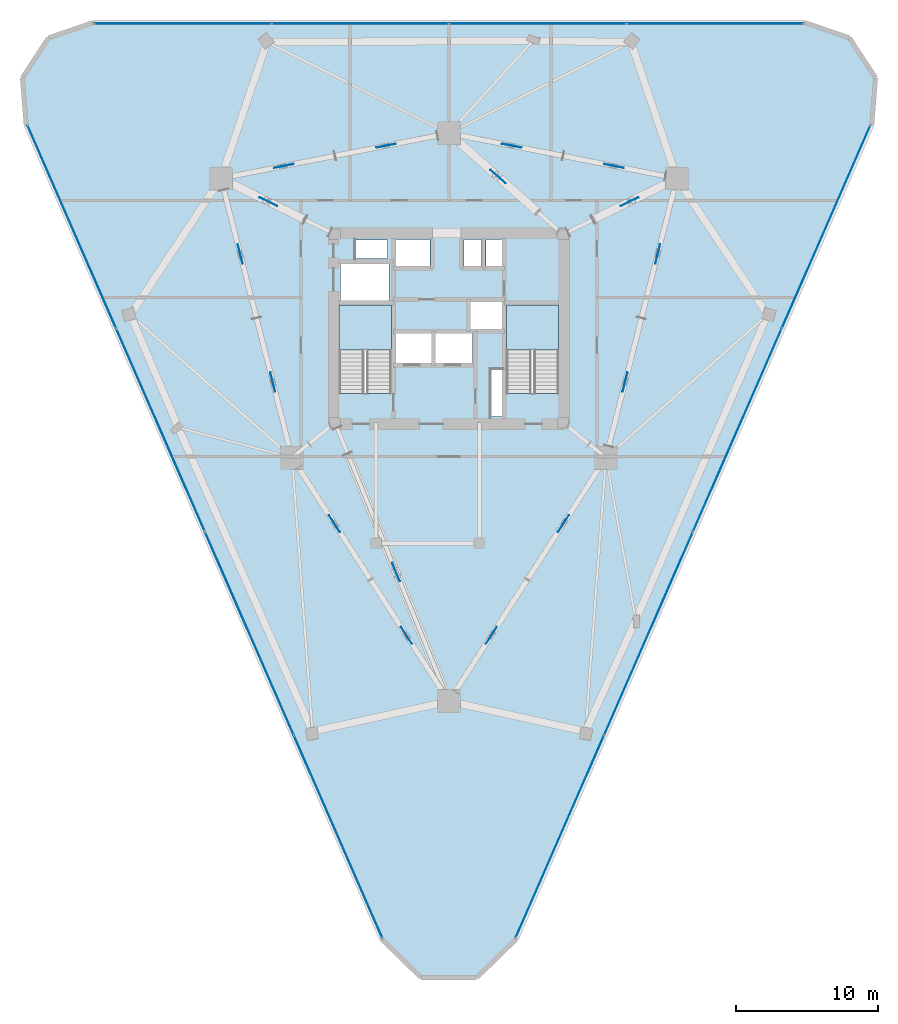
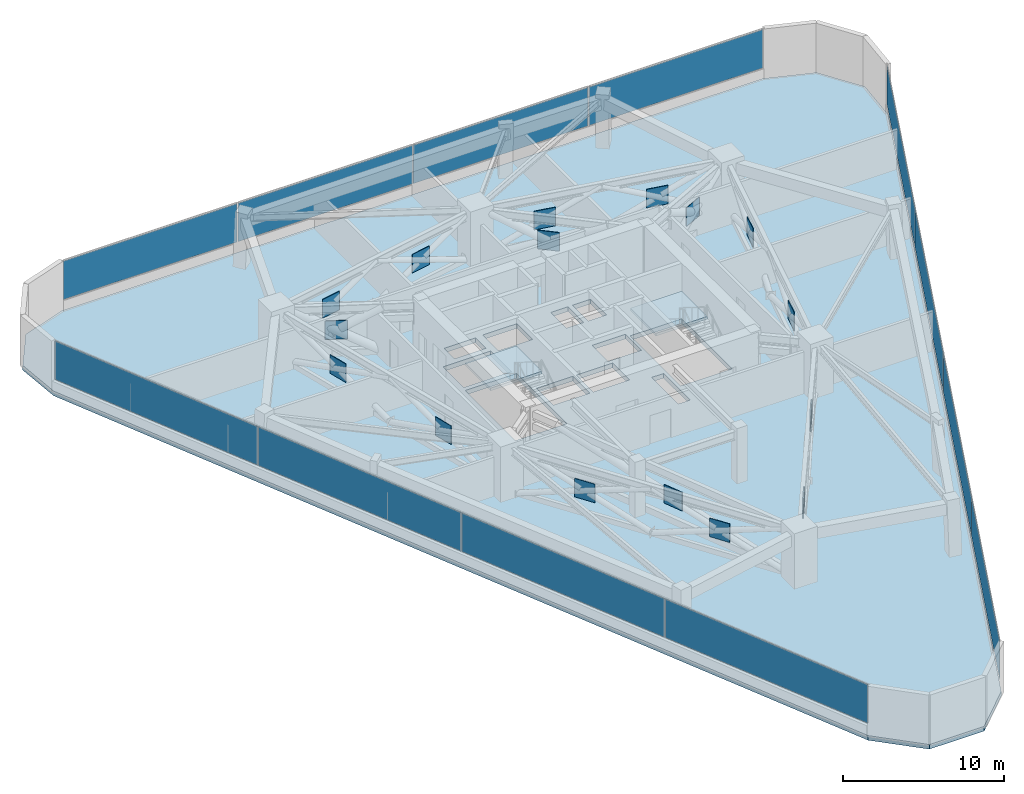
# One storey, part 10 of 15: 28 plates, 3 slabs, 5 elements without a shape of their own.
"""IFC4 building model written with IfcOpenShell, lengths in metres."""

from ifc_helpers import new_model, si_unit, direction, frame, origin, origin_2d, place, context, subcontext, project, spatial, polyline, rectangle, outline, extrude, material, layer, layer_set, type_object, element, aggregate, save


model = new_model("IFC4")

# Units and contexts
model_context = context("Model", 3, precision=1e-05, world=origin(), true_north=direction((0.0, 1.0)))
body_context = subcontext(model_context, "Body", "Model", "MODEL_VIEW")
ifc_project = project(units=[si_unit("LENGTHUNIT", "METRE"), si_unit("AREAUNIT", "SQUARE_METRE"), si_unit("VOLUMEUNIT", "CUBIC_METRE"), si_unit("PLANEANGLEUNIT", "RADIAN"), si_unit("MASSUNIT", "GRAM", prefix="KILO")], contexts=[model_context])

# Site, building, storey
site_placement = place(None, origin())
site = spatial("IfcSite", under=ifc_project, at=site_placement, CompositionType="ELEMENT")
building_placement = place(site_placement, origin())
building = spatial("IfcBuilding", under=site, at=building_placement, Name="Talyreon Biosciences Tower", CompositionType="ELEMENT")
storey_placement = place(building_placement, frame((0.0, 0.0, 118.800048828125)))
storey = spatial("IfcBuildingStorey", under=building, at=storey_placement, Name="L31", CompositionType="ELEMENT", Elevation=118.800048828125)

# Curtain wall, plates
ifc_material_1 = material(Name="Thermally broken aluminium and low-E glazing", Category="aluminium")
ifc_layer_1 = layer(ifc_material_1, 0.18994140625)
ifc_layer_set_1 = layer_set([ifc_layer_1], Name="Thermally broken aluminium and low-E glazing")
curtain_wall_type = type_object("IfcCurtainWallType", Name="CurtainWall_Zone2Genomics", PredefinedType="NOTDEFINED", material=ifc_layer_set_1)
curtain_wall_1_placement = place(storey_placement, origin())
curtain_wall_1 = element("IfcCurtainWall", 1, at=curtain_wall_1_placement, inside=storey, type_object=curtain_wall_type, Name="L31 Unitised Curtain Wall FCW-L31-00", PredefinedType="NOTDEFINED")
ifc_material_2 = material(Name="Triple-silver low-E insulated glazing", Category="glass")
ifc_layer_2 = layer(ifc_material_2, 0.031982421875)
ifc_layer_set_2 = layer_set([ifc_layer_2], Name="Triple-silver low-E insulated glazing")
plate_type_1 = type_object("IfcPlateType", Name="CWGlazingPanel_32", PredefinedType="CURTAIN_PANEL", material=ifc_layer_set_2)
plate_1_placement = place(storey_placement, frame((58.165283203125, 32.1201171875, 0.875), z_axis=(0.0, 0.0, 1.0), x_axis=(-0.400226002637, 0.916416470178, 0.0)))
plate_1 = element("IfcPlate", 2, at=plate_1_placement, type_object=plate_type_1, Name="CW3 panel 1.1", PredefinedType="CURTAIN_PANEL", context=body_context, shape_type="SweptSolid", body=[
    extrude(rectangle(XDim=15.573974609375, YDim=0.031982421875, at=origin_2d()), origin(), (0.0, 0.0, 1.0), 2.909912109375),
])
plate_2_placement = place(storey_placement, frame((51.899658203125, 46.466796875, 0.875), z_axis=(0.0, 0.0, 1.0), x_axis=(-0.400226002637, 0.916416470178, 0.0)))
plate_2 = element("IfcPlate", 3, at=plate_2_placement, type_object=plate_type_1, Name="CW3 panel 2.1", PredefinedType="CURTAIN_PANEL", context=body_context, shape_type="SweptSolid", body=[
    extrude(rectangle(XDim=15.6064453125, YDim=0.031982421875, at=origin_2d()), origin(), (0.0, 0.0, 1.0), 2.909912109375),
])
plate_3_placement = place(storey_placement, frame((45.627685546875, 60.828369140625, 0.875), z_axis=(0.0, 0.0, 1.0), x_axis=(-0.400226002637, 0.916416470178, 0.0)))
plate_3 = element("IfcPlate", 4, at=plate_3_placement, type_object=plate_type_1, Name="CW3 panel 3.1", PredefinedType="CURTAIN_PANEL", context=body_context, shape_type="SweptSolid", body=[
    extrude(rectangle(XDim=15.6064453125, YDim=0.031982421875, at=origin_2d()), origin(), (0.0, 0.0, 1.0), 2.909912109375),
])
plate_4_placement = place(storey_placement, frame((39.362060546875, 75.175048828125, 0.875), z_axis=(0.0, 0.0, 1.0), x_axis=(-0.400226002637, 0.916416470178, 0.0)))
plate_4 = element("IfcPlate", 5, at=plate_4_placement, type_object=plate_type_1, Name="CW3 panel 4.1", PredefinedType="CURTAIN_PANEL", context=body_context, shape_type="SweptSolid", body=[
    extrude(rectangle(XDim=15.573974609375, YDim=0.031982421875, at=origin_2d()), origin(), (0.0, 0.0, 1.0), 2.909912109375),
])
aggregate(curtain_wall_1, [plate_1, plate_2, plate_3, plate_4])

curtain_wall_2_placement = place(storey_placement, origin())
curtain_wall_2 = element("IfcCurtainWall", 6, at=curtain_wall_2_placement, inside=storey, type_object=curtain_wall_type, Name="L31 Unitised Curtain Wall FCW-L31-04", PredefinedType="NOTDEFINED")
plate_5_placement = place(storey_placement, frame((47.199951171875, 89.539794921875, 0.875), z_axis=(0.0, 0.0, 1.0), x_axis=(1.0, 0.0, 0.0)))
plate_5 = element("IfcPlate", 7, at=plate_5_placement, type_object=plate_type_1, Name="CW3 panel 1.1", PredefinedType="CURTAIN_PANEL", context=body_context, shape_type="SweptSolid", body=[
    extrude(rectangle(XDim=12.44677734375, YDim=0.031982421875, at=origin_2d()), origin(), (0.0, 0.0, 1.0), 2.909912109375),
])
plate_6_placement = place(storey_placement, frame((59.727783203125, 89.539794921875, 0.875), z_axis=(0.0, 0.0, 1.0), x_axis=(1.0, 0.0, 0.0)))
plate_6 = element("IfcPlate", 8, at=plate_6_placement, type_object=plate_type_1, Name="CW3 panel 2.1", PredefinedType="CURTAIN_PANEL", context=body_context, shape_type="SweptSolid", body=[
    extrude(rectangle(XDim=12.479248046875, YDim=0.031982421875, at=origin_2d()), origin(), (0.0, 0.0, 1.0), 2.909912109375),
])
plate_7_placement = place(storey_placement, frame((72.27197265625, 89.539794921875, 0.875), z_axis=(0.0, 0.0, 1.0), x_axis=(1.0, 0.0, 0.0)))
plate_7 = element("IfcPlate", 9, at=plate_7_placement, type_object=plate_type_1, Name="CW3 panel 3.1", PredefinedType="CURTAIN_PANEL", context=body_context, shape_type="SweptSolid", body=[
    extrude(rectangle(XDim=12.479248046875, YDim=0.031982421875, at=origin_2d()), origin(), (0.0, 0.0, 1.0), 2.909912109375),
])
plate_8_placement = place(storey_placement, frame((84.800048828125, 89.539794921875, 0.875), z_axis=(0.0, 0.0, 1.0), x_axis=(1.0, 0.0, 0.0)))
plate_8 = element("IfcPlate", 10, at=plate_8_placement, type_object=plate_type_1, Name="CW3 panel 4.1", PredefinedType="CURTAIN_PANEL", context=body_context, shape_type="SweptSolid", body=[
    extrude(rectangle(XDim=12.44677734375, YDim=0.031982421875, at=origin_2d()), origin(), (0.0, 0.0, 1.0), 2.909912109375),
])
aggregate(curtain_wall_2, [plate_5, plate_6, plate_7, plate_8])

curtain_wall_3_placement = place(storey_placement, origin())
curtain_wall_3 = element("IfcCurtainWall", 11, at=curtain_wall_3_placement, inside=storey, type_object=curtain_wall_type, Name="L31 Unitised Curtain Wall FCW-L31-08", PredefinedType="NOTDEFINED")
plate_9_placement = place(storey_placement, frame((92.637939453125, 75.175048828125, 0.875), z_axis=(0.0, 0.0, 1.0), x_axis=(-0.400226002637, -0.916416470178, 0.0)))
plate_9 = element("IfcPlate", 12, at=plate_9_placement, type_object=plate_type_1, Name="CW3 panel 1.1", PredefinedType="CURTAIN_PANEL", context=body_context, shape_type="SweptSolid", body=[
    extrude(rectangle(XDim=15.573974609375, YDim=0.031982421875, at=origin_2d()), origin(), (0.0, 0.0, 1.0), 2.909912109375),
])
plate_10_placement = place(storey_placement, frame((86.372314453125, 60.828369140625, 0.875), z_axis=(0.0, 0.0, 1.0), x_axis=(-0.400226002637, -0.916416470178, 0.0)))
plate_10 = element("IfcPlate", 13, at=plate_10_placement, type_object=plate_type_1, Name="CW3 panel 2.1", PredefinedType="CURTAIN_PANEL", context=body_context, shape_type="SweptSolid", body=[
    extrude(rectangle(XDim=15.6064453125, YDim=0.031982421875, at=origin_2d()), origin(), (0.0, 0.0, 1.0), 2.909912109375),
])
plate_11_placement = place(storey_placement, frame((80.100341796875, 46.466796875, 0.875), z_axis=(0.0, 0.0, 1.0), x_axis=(-0.400226002637, -0.916416470178, 0.0)))
plate_11 = element("IfcPlate", 14, at=plate_11_placement, type_object=plate_type_1, Name="CW3 panel 3.1", PredefinedType="CURTAIN_PANEL", context=body_context, shape_type="SweptSolid", body=[
    extrude(rectangle(XDim=15.6064453125, YDim=0.031982421875, at=origin_2d()), origin(), (0.0, 0.0, 1.0), 2.909912109375),
])
plate_12_placement = place(storey_placement, frame((73.834716796875, 32.1201171875, 0.875), z_axis=(0.0, 0.0, 1.0), x_axis=(-0.400226002637, -0.916416470178, 0.0)))
plate_12 = element("IfcPlate", 15, at=plate_12_placement, type_object=plate_type_1, Name="CW3 panel 4.1", PredefinedType="CURTAIN_PANEL", context=body_context, shape_type="SweptSolid", body=[
    extrude(rectangle(XDim=15.573974609375, YDim=0.031982421875, at=origin_2d()), origin(), (0.0, 0.0, 1.0), 2.909912109375),
])
aggregate(curtain_wall_3, [plate_9, plate_10, plate_11, plate_12])

# Slab
ifc_material_3 = material(Name="Concrete C50/60", Category="concrete")
ifc_layer_3 = layer(ifc_material_3, 0.35009765625)
ifc_layer_set_3 = layer_set([ifc_layer_3], Name="Concrete C50/60")
slab_type_1 = type_object("IfcSlabType", Name="PlantOutriggerSlab_350", PredefinedType="FLOOR", material=ifc_layer_set_3)
slab_1_placement = place(storey_placement, frame((0.0, 0.0, -0.35009765625)))
element("IfcSlab", 16, at=slab_1_placement, inside=storey, type_object=slab_type_1, Name="L31 Structural Floor Slab", PredefinedType="FLOOR", context=body_context, shape_type="SweptSolid", body=[
    extrude(outline(polyline([(61.234619140625, 24.892578125), (36.146240234375, 82.338623046875), (35.8720703125, 85.70166015625), (37.7197265625, 88.525146484375), (40.91162109375, 89.619873046875), (91.08837890625, 89.619873046875), (94.2802734375, 88.525146484375), (96.1279296875, 85.70166015625), (95.853759765625, 82.338623046875), (70.765380859375, 24.892578125), (67.95947265625, 22.156982421875), (64.04052734375, 22.156982421875), (61.234619140625, 24.892578125)]), holes=[polyline([(61.929931640625, 69.64990234375), (61.929931640625, 63.407958984375), (58.25, 63.407958984375), (58.25, 69.64990234375), (61.929931640625, 69.64990234375)]), polyline([(64.800048828125, 67.64990234375), (64.800048828125, 65.550048828125), (62.199951171875, 65.550048828125), (62.199951171875, 67.64990234375), (64.800048828125, 67.64990234375)]), polyline([(67.64990234375, 67.64990234375), (67.64990234375, 65.550048828125), (65.050048828125, 65.550048828125), (65.050048828125, 67.64990234375), (67.64990234375, 67.64990234375)]), polyline([(61.75, 69.97998046875), (58.35009765625, 69.97998046875), (58.35009765625, 72.550048828125), (61.75, 72.550048828125), (61.75, 69.97998046875)]), polyline([(64.64990234375, 72.35009765625), (62.199951171875, 72.35009765625), (62.199951171875, 74.300048828125), (64.64990234375, 74.300048828125), (64.64990234375, 72.35009765625)]), polyline([(61.64990234375, 74.25), (61.64990234375, 72.9599609375), (59.39990234375, 72.9599609375), (59.39990234375, 74.25), (61.64990234375, 74.25)]), polyline([(69.820068359375, 61.800048828125), (68.9599609375, 61.800048828125), (68.9599609375, 65.10009765625), (69.820068359375, 65.10009765625), (69.820068359375, 61.800048828125)]), polyline([(73.75, 63.407958984375), (70.070068359375, 63.407958984375), (70.070068359375, 69.64990234375), (73.75, 69.64990234375), (73.75, 63.407958984375)]), polyline([(69.89990234375, 69.949951171875), (69.89990234375, 67.949951171875), (67.5, 67.949951171875), (67.5, 69.949951171875), (69.89990234375, 69.949951171875)]), polyline([(68.300048828125, 72.35009765625), (67.050048828125, 72.35009765625), (67.050048828125, 74.300048828125), (68.300048828125, 74.300048828125), (68.300048828125, 72.35009765625)]), polyline([(69.919921875, 72.35009765625), (68.6201171875, 72.35009765625), (68.6201171875, 74.300048828125), (69.919921875, 74.300048828125), (69.919921875, 72.35009765625)])]), origin(), (0.0, 0.0, 1.0), 0.35009765625),
])

# Stair, slab
ifc_material_4 = material(Name="Concrete C40/50", Category="concrete")
stair_type = type_object("IfcStairType", Name="DoglegEscapeStair_4200", PredefinedType="HALF_TURN_STAIR", material=ifc_material_4)
stair_1_placement = place(storey_placement, origin())
stair_1 = element("IfcStair", 17, at=stair_1_placement, inside=storey, type_object=stair_type, Name="L31 Core Escape Stair 1", PredefinedType="HALF_TURN_STAIR")
ifc_layer_4 = layer(ifc_material_4, 0.199951171875)
ifc_layer_set_4 = layer_set([ifc_layer_4], Name="Concrete C40/50")
slab_type_2 = type_object("IfcSlabType", Name="StairLandingSlab_200", PredefinedType="LANDING", material=ifc_layer_set_4)
slab_2_placement = place(storey_placement, frame((0.0, 0.0, 1.89990234375)))
slab_2 = element("IfcSlab", 18, at=slab_2_placement, type_object=slab_type_2, Name="ST-1 landing 1", PredefinedType="LANDING", context=body_context, shape_type="SweptSolid", body=[
    extrude(outline(polyline([(61.929931640625, 66.47998046875), (61.929931640625, 69.64990234375), (58.25, 69.64990234375), (58.25, 66.47998046875), (61.929931640625, 66.47998046875)])), origin(), (0.0, 0.0, 1.0), 0.199951171875),
])
aggregate(stair_1, [slab_2])

stair_2_placement = place(storey_placement, origin())
stair_2 = element("IfcStair", 19, at=stair_2_placement, inside=storey, type_object=stair_type, Name="L31 Core Escape Stair 2", PredefinedType="HALF_TURN_STAIR")
slab_3_placement = place(storey_placement, frame((0.0, 0.0, 1.89990234375)))
slab_3 = element("IfcSlab", 20, at=slab_3_placement, type_object=slab_type_2, Name="ST-2 landing 1", PredefinedType="LANDING", context=body_context, shape_type="SweptSolid", body=[
    extrude(outline(polyline([(73.75, 66.47998046875), (73.75, 69.64990234375), (70.070068359375, 69.64990234375), (70.070068359375, 66.47998046875), (73.75, 66.47998046875)])), origin(), (0.0, 0.0, 1.0), 0.199951171875),
])
aggregate(stair_2, [slab_3])

# Plates
ifc_material_5 = material(Name="Steel SM355", Category="steel")
ifc_layer_5 = layer(ifc_material_5, 0.035888671875)
ifc_layer_set_5 = layer_set([ifc_layer_5], Name="Steel SM355")
plate_type_2 = type_object("IfcPlateType", Name="TrussGussetNodePlate_36", PredefinedType="SHEET", material=ifc_layer_set_5)
for number, where, z_axis, x_axis, name in (
    (21, (62.26171875, 50.807373046875, 1.219970703125), (0.0, 0.0, 1.0), (0.378551692902, -0.925580150933, 0.0), "Truss node plate NP-OUT-L31-R1-X"),
    (22, (78.75634765625, 76.9580078125, 1.219970703125), (0.0, 0.0, 1.0), (0.89785858505, 0.440283955252, 0.0), "Truss node plate NP-OUT-L31-R3-X"),
    (23, (69.458251953125, 78.721923828125, 1.219970703125), (0.0, 0.0, 1.0), (-0.748180360492, 0.663495401773, 0.0), "Truss node plate NP-OUT-L31-R4-X"),
    (24, (53.24365234375, 76.9580078125, 1.219970703125), (0.0, 0.0, 1.0), (-0.89785858505, 0.440283955252, 0.0), "Truss node plate NP-OUT-L31-R5-X"),
    (25, (68.99755859375, 46.3212890625, 1.219970703125), (0.0, 0.0, 1.0), (0.54145878531, 0.840727294555, 0.0), "Truss node plate NP-BELT-L31-B1S1-X"),
    (26, (74.088623046875, 54.22607421875, 1.219970703125), (0.0, 0.0, 1.0), (0.54145878531, 0.840727294555, 0.0), "Truss node plate NP-BELT-L31-B1S2-X"),
    (27, (78.443115234375, 64.214599609375, 1.219970703125), (0.0, 0.0, 1.0), (0.246542347409, 0.969132019352, 0.0), "Truss node plate NP-BELT-L31-B2S1-X"),
    (28, (80.745361328125, 73.264404296875, 1.219970703125), (0.0, 0.0, 1.0), (0.246542347409, 0.969132019352, 0.0), "Truss node plate NP-BELT-L31-B2S2-X"),
    (29, (77.667236328125, 79.477294921875, 1.219970703125), (0.0, 0.0, 1.0), (-0.980934809797, 0.194337075538, 0.0), "Truss node plate NP-BELT-L31-B3S1-X"),
    (30, (70.43505859375, 80.91015625, 1.219970703125), (0.0, 0.0, 1.0), (-0.980934809797, 0.194337075538, 0.0), "Truss node plate NP-BELT-L31-B3S2-X"),
    (31, (61.564697265625, 80.91015625, 1.219970703125), (0.0, 0.0, 1.0), (-0.980934809797, -0.194337075538, 0.0), "Truss node plate NP-BELT-L31-B4S1-X"),
    (32, (54.332763671875, 79.477294921875, 1.219970703125), (0.0, 0.0, 1.0), (-0.980934809797, -0.194337075538, 0.0), "Truss node plate NP-BELT-L31-B4S2-X"),
    (33, (51.254638671875, 73.264404296875, 1.219970703125), (0.0, 0.0, 1.0), (0.246542347409, -0.969132019352, 0.0), "Truss node plate NP-BELT-L31-B5S1-X"),
    (34, (53.556884765625, 64.214599609375, 1.219970703125), (0.0, 0.0, 1.0), (0.246542347409, -0.969132019352, 0.0), "Truss node plate NP-BELT-L31-B5S2-X"),
    (35, (57.911376953125, 54.22607421875, 1.219970703125), (0.0, 0.0, 1.0), (0.54145878531, -0.840727294555, 0.0), "Truss node plate NP-BELT-L31-B6S1-X"),
    (36, (63.00244140625, 46.3212890625, 1.219970703125), (0.0, 0.0, 1.0), (0.54145878531, -0.840727294555, 0.0), "Truss node plate NP-BELT-L31-B6S2-X"),
):
    element("IfcPlate", number, at=place(storey_placement, frame(where, z_axis=z_axis, x_axis=x_axis)), inside=storey, type_object=plate_type_2, Name=name, PredefinedType="SHEET", context=body_context, shape_type="SweptSolid", body=[
        extrude(rectangle(XDim=1.39990234375, YDim=0.035888671875, at=origin_2d()), origin(), (0.0, 0.0, 1.0), 1.39990234375),
    ])

save(model, "model.ifc")
